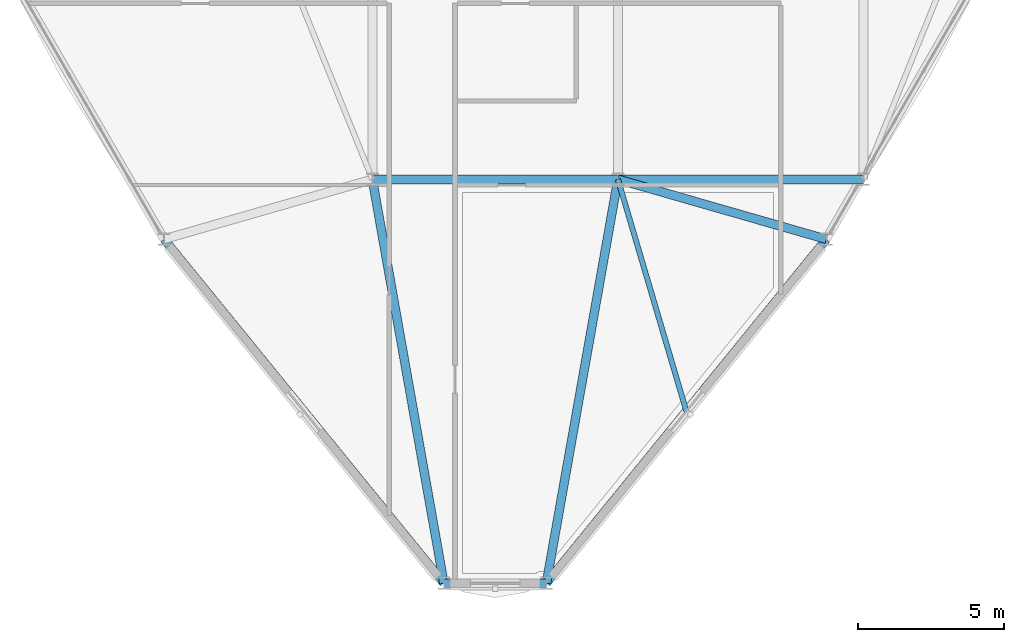
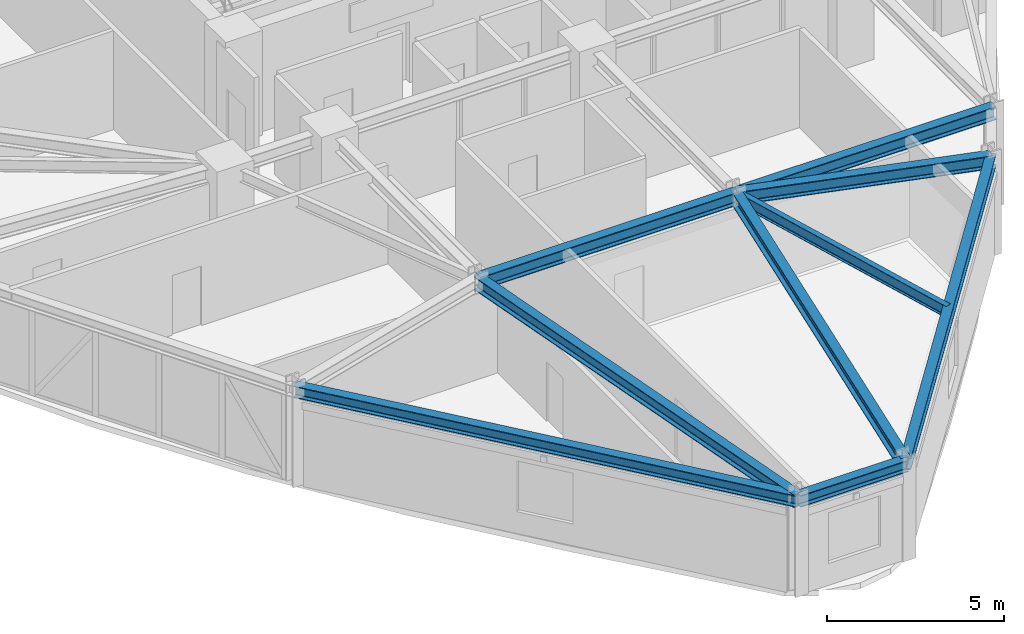
# One storey, part 3 of 15: 9 beams.
"""IFC4 building model written with IfcOpenShell, lengths in metres."""

import ifcopenshell
import ifcopenshell.guid

model = None  # the IFC model being written
_history = None  # IfcOwnerHistory: only IFC2X3 demands one
_inside = {}  # id of a spatial element -> (the spatial element, [elements in it])
_under = {}  # id of a project, library or spatial element -> (it, [spatial elements below it])
_declared = {}  # id of a project -> (the project, [libraries it declares])
_typed = {}  # id of a type object -> (the type object, [elements of that type])
_made_of = {}  # id of a material, layer set ... -> (it, [elements and type objects made of it])


def new_model(schema):
    """Start an empty IFC model of exactly this schema.

    Asked for "IFC4X3", IfcOpenShell would pick the latest addendum, in which some entities
    have other attributes; the version numbers below select the first issue.
    IFC2X3 requires an IfcOwnerHistory on every rooted entity: one is made here for all.
    """
    global model, _history
    if schema == "IFC4X3":
        model = ifcopenshell.file(schema_version=(4, 3, 0, 0))
    else:
        model = ifcopenshell.file(schema=schema)
    _inside.clear()
    _under.clear()
    _declared.clear()
    _typed.clear()
    _made_of.clear()
    _history = None
    if model.schema == "IFC2X3":
        org = make("IfcOrganization", Name="unknown")
        user = make(
            "IfcPersonAndOrganization",
            ThePerson=make("IfcPerson", FamilyName="unknown"),
            TheOrganization=org,
        )
        app = make(
            "IfcApplication",
            ApplicationDeveloper=org,
            Version="unknown",
            ApplicationFullName="unknown",
            ApplicationIdentifier="unknown",
        )
        _history = make(
            "IfcOwnerHistory",
            OwningUser=user,
            OwningApplication=app,
            ChangeAction="ADDED",
            CreationDate=0,
        )
    return model


def make(cls, **values):
    """One entity of the class cls with the attributes given. An attribute that is None is left unset."""
    return model.create_entity(
        cls, **{name: value for name, value in values.items() if value is not None}
    )


def rooted(cls, **values):
    """An entity with a GlobalId (a new one), such as an element, a storey or a relation."""
    return make(cls, GlobalId=ifcopenshell.guid.new(), OwnerHistory=_history, **values)


def si_unit(unit_type, name, prefix=None):
    """IfcSIUnit, for example si_unit("LENGTHUNIT", "METRE", prefix="MILLI")."""
    return make("IfcSIUnit", UnitType=unit_type, Prefix=prefix, Name=name)


def derived_unit(unit_type, elements):
    """IfcDerivedUnit: a product of units, each with its exponent."""
    return make(
        "IfcDerivedUnit",
        Elements=[
            make("IfcDerivedUnitElement", Unit=unit, Exponent=power)
            for unit, power in elements
        ],
        UnitType=unit_type,
    )


def assignment(units):
    """IfcUnitAssignment: the units of a project."""
    return None if units is None else make("IfcUnitAssignment", Units=units)


def point(xyz):
    """IfcCartesianPoint."""
    return None if xyz is None else make("IfcCartesianPoint", Coordinates=xyz)


def direction(xyz):
    """IfcDirection."""
    return None if xyz is None else make("IfcDirection", DirectionRatios=xyz)


def frame(location, z_axis=None, x_axis=None):
    """IfcAxis2Placement3D, a coordinate frame: its origin and axes. An axis left out is left unset."""
    return make(
        "IfcAxis2Placement3D",
        Location=point(location),
        Axis=direction(z_axis),
        RefDirection=direction(x_axis),
    )


def frame_2d(location, x_axis=None):
    """IfcAxis2Placement2D, a coordinate frame in the plane: its origin and x axis."""
    return make(
        "IfcAxis2Placement2D", Location=point(location), RefDirection=direction(x_axis)
    )


def origin():
    """The frame at (0, 0, 0) with its axes left unset."""
    return frame((0.0, 0.0, 0.0))


def origin_2d():
    """The frame at (0, 0) in the plane with its x axis left unset."""
    return frame_2d((0.0, 0.0))


def place(relative_to, where):
    """IfcLocalPlacement: puts the frame where relative to a parent placement (None: the world)."""
    return make(
        "IfcLocalPlacement", PlacementRelTo=relative_to, RelativePlacement=where
    )


def context(
    kind, dimensions, precision=None, world=None, true_north=None, identifier=None
):
    """IfcGeometricRepresentationContext, for example the 3D "Model" context."""
    return make(
        "IfcGeometricRepresentationContext",
        ContextIdentifier=identifier,
        ContextType=kind,
        CoordinateSpaceDimension=dimensions,
        Precision=precision,
        WorldCoordinateSystem=world,
        TrueNorth=true_north,
    )


def subcontext(parent, identifier, kind, view, scale=None):
    """IfcGeometricRepresentationSubContext, for example "Body" below "Model"."""
    return make(
        "IfcGeometricRepresentationSubContext",
        ContextIdentifier=identifier,
        ContextType=kind,
        ParentContext=parent,
        TargetScale=scale,
        TargetView=view,
    )


def project(units=None, contexts=None):
    """IfcProject with its units and contexts."""
    return rooted(
        "IfcProject",
        Name="project",
        RepresentationContexts=contexts,
        UnitsInContext=assignment(units),
    )


def spatial(cls, under=None, at=None, **own):
    """A site, building, storey or space (cls), placed at a placement, below another one or the project."""
    s = rooted(cls, ObjectPlacement=at, **own)
    if under is not None:
        _under.setdefault(under.id(), (under, []))[1].append(s)
    return s


def profile(cls, at=None, kind="AREA", **sizes):
    """A parametric profile (cls). Its sizes go by their IFC names, for example OverallWidth=200.0."""
    return make(cls, ProfileType=kind, Position=at, **sizes)


def i_section(**sizes):
    """IfcIShapeProfileDef."""
    return profile("IfcIShapeProfileDef", **sizes)


def extrude(swept, where, along, depth):
    """IfcExtrudedAreaSolid: the profile swept, set in the frame where, extruded along a direction by depth."""
    return make(
        "IfcExtrudedAreaSolid",
        SweptArea=swept,
        Position=where,
        ExtrudedDirection=direction(along),
        Depth=depth,
    )


def shape(context_of_items, identifier, shape_type, items):
    """IfcShapeRepresentation: the items that make up one representation, for example the "Body"."""
    return make(
        "IfcShapeRepresentation",
        ContextOfItems=context_of_items,
        RepresentationIdentifier=identifier,
        RepresentationType=shape_type,
        Items=items,
    )


def source(mapping_origin, context_of_items, identifier, shape_type, items):
    """IfcRepresentationMap: a shape defined once, which mapped items show again and again."""
    return make(
        "IfcRepresentationMap",
        MappingOrigin=mapping_origin,
        MappedRepresentation=shape(context_of_items, identifier, shape_type, items),
    )


def transform(
    local_origin,
    x_axis=None,
    y_axis=None,
    z_axis=None,
    scale=None,
    scale2=None,
    scale3=None,
    uniform=True,
):
    """IfcCartesianTransformationOperator3D, or its non-uniform kind. x_axis, y_axis, z_axis: its Axis1, 2, 3."""
    if uniform:
        return make(
            "IfcCartesianTransformationOperator3D",
            Axis1=direction(x_axis),
            Axis2=direction(y_axis),
            LocalOrigin=point(local_origin),
            Scale=scale,
            Axis3=direction(z_axis),
        )
    return make(
        "IfcCartesianTransformationOperator3DnonUniform",
        Axis1=direction(x_axis),
        Axis2=direction(y_axis),
        LocalOrigin=point(local_origin),
        Scale=scale,
        Axis3=direction(z_axis),
        Scale2=scale2,
        Scale3=scale3,
    )


def mapped(mapping_source, mapping_target):
    """IfcMappedItem: shows the shape of a source again, moved by a transform."""
    return make(
        "IfcMappedItem", MappingSource=mapping_source, MappingTarget=mapping_target
    )


def material(Name=None, Category=None):
    """IfcMaterial."""
    return make("IfcMaterial", Name=Name, Category=Category)


def material_profile(
    of_material, cross_section, Name=None, Category=None, Priority=None
):
    """IfcMaterialProfile: a cross section and its material."""
    return make(
        "IfcMaterialProfile",
        Name=Name,
        Material=of_material,
        Profile=cross_section,
        Priority=Priority,
        Category=Category,
    )


def profile_set(profiles, Name=None, composite=None):
    """IfcMaterialProfileSet."""
    return make(
        "IfcMaterialProfileSet",
        Name=Name,
        MaterialProfiles=profiles,
        CompositeProfile=composite,
    )


def made_of(thing, what):
    """Note that an element or type object is made of a material, layer set ...; save() writes the relation."""
    if what is not None:
        _made_of.setdefault(what.id(), (what, []))[1].append(thing)
    return thing


def type_object(cls, material=None, **own):
    """A type object (cls), such as IfcWallType, which elements share."""
    return made_of(rooted(cls, **own), material)


def element(
    cls,
    number,
    at=None,
    inside=None,
    cuts=None,
    type_object=None,
    material=None,
    context=None,
    identifier="Body",
    shape_type=None,
    held_by="IfcProductDefinitionShape",
    body=None,
    shapes=None,
    **own,
):
    """One element of the class cls, such as IfcWall. Its Tag is "e" and its number.

    at: its placement. inside: the storey or other place that contains it. cuts: it is an
    opening in that element (IfcRelVoidsElement). A single representation is given by context,
    identifier, shape_type and body (its items); several are given by shapes. held_by: the class
    of the entity that holds the representations. save() writes the other relations.
    """
    e = rooted(cls, Tag="e%d" % number, ObjectPlacement=at, **own)
    if body is not None:
        shapes = [shape(context, identifier, shape_type, body)]
    if shapes is not None:
        e.Representation = make(held_by, Representations=shapes)
    if inside is not None:
        _inside.setdefault(inside.id(), (inside, []))[1].append(e)
    if cuts is not None:
        rooted(
            "IfcRelVoidsElement", RelatingBuildingElement=cuts, RelatedOpeningElement=e
        )
    if type_object is not None:
        _typed.setdefault(type_object.id(), (type_object, []))[1].append(e)
    return made_of(e, material)


def aggregate(whole, parts):
    """IfcRelAggregates: a whole, such as a stair, and the parts it consists of."""
    return rooted("IfcRelAggregates", RelatingObject=whole, RelatedObjects=parts)


def save(model, path):
    """Write the relations noted so far, then the file.

    IfcRelAggregates (storeys below a building ...), IfcRelContainedInSpatialStructure (elements
    in a storey), IfcRelDefinesByType, IfcRelAssociatesMaterial and IfcRelDeclares: one each for
    every whole, place, type object, material and project.
    """
    for whole, parts in _under.values():
        aggregate(whole, parts)
    for where, things in _inside.values():
        rooted(
            "IfcRelContainedInSpatialStructure",
            RelatedElements=things,
            RelatingStructure=where,
        )
    for kind, things in _typed.values():
        rooted("IfcRelDefinesByType", RelatedObjects=things, RelatingType=kind)
    for what, things in _made_of.values():
        rooted("IfcRelAssociatesMaterial", RelatedObjects=things, RelatingMaterial=what)
    for by, libraries in _declared.values():
        rooted("IfcRelDeclares", RelatingContext=by, RelatedDefinitions=libraries)
    model.write(path)


model = new_model("IFC4")

# Units and contexts
model_context = context("Model", 3, precision=1e-05, world=origin(), true_north=direction((0.0, 1.0)))
body_context = subcontext(model_context, "Body", "Model", "MODEL_VIEW")
ifc_project = project(units=[si_unit("LENGTHUNIT", "METRE"), si_unit("AREAUNIT", "SQUARE_METRE"), si_unit("VOLUMEUNIT", "CUBIC_METRE"), si_unit("PLANEANGLEUNIT", "RADIAN"), si_unit("MASSUNIT", "GRAM", prefix="KILO"), derived_unit("THERMALTRANSMITTANCEUNIT", [(si_unit("POWERUNIT", "WATT"), 1), (si_unit("LENGTHUNIT", "METRE"), -2), (si_unit("THERMODYNAMICTEMPERATUREUNIT", "KELVIN"), -1)])], contexts=[model_context])

# Site, building, storey
site_placement = place(None, origin())
site = spatial("IfcSite", under=ifc_project, at=site_placement, CompositionType="ELEMENT")
building_placement = place(site_placement, origin())
building = spatial("IfcBuilding", under=site, at=building_placement, Name="Korsvarv Bourse and Concert Hall", CompositionType="ELEMENT")
storey_placement = place(building_placement, frame((0.0, 0.0, 147.0)))
storey = spatial("IfcBuildingStorey", under=building, at=storey_placement, Name="L37", CompositionType="ELEMENT", Elevation=147.0)

# Beams
ifc_material = material(Name="Steel S355", Category="steel")
ifc_material_profile_1 = material_profile(ifc_material, i_section(OverallWidth=0.300048828125, OverallDepth=0.449951171875, WebThickness=0.013916015625, FlangeThickness=0.02587890625, FilletRadius=0.02099609375, at=origin_2d()), Name="HEB 450")
ifc_profile_set_1 = profile_set([ifc_material_profile_1], Name="Steel S355")
beam_type_1 = type_object("IfcBeamType", Name="BM-HEB450", PredefinedType="SPANDREL", material=ifc_profile_set_1)
shared_shape_1 = source(origin(), body_context, "Body", "SweptSolid", [
    extrude(i_section(OverallWidth=0.300048828125, OverallDepth=0.449951171875, WebThickness=0.013916015625, FlangeThickness=0.02587890625, FilletRadius=0.02099609375, at=origin_2d()), origin(), (0.0, 0.0, 1.0), 8.39990234375),
])
for number, where, z_axis, x_axis, name in (
    (1, (27.60009765625, 24.0, 3.175048828125), (1.0, 0.0, 0.0), (0.0, 1.0, 0.0), "L37 beam B-08"),
    (2, (36.0, 24.0, 3.175048828125), (1.0, 0.0, 0.0), (0.0, 1.0, 0.0), "L37 beam B-08"),
):
    element("IfcBeam", number, at=place(storey_placement, frame(where, z_axis=z_axis, x_axis=x_axis)), inside=storey, type_object=beam_type_1, Name=name, PredefinedType="SPANDREL", context=body_context, shape_type="MappedRepresentation", body=[
        mapped(shared_shape_1, transform((0.0, 0.0, 0.0), scale=1.0)),
    ])
ifc_material_profile_2 = material_profile(ifc_material, i_section(OverallWidth=0.300048828125, OverallDepth=0.39990234375, WebThickness=0.013427734375, FlangeThickness=0.02392578125, FilletRadius=0.02099609375, at=origin_2d()), Name="HEB 400")
ifc_profile_set_2 = profile_set([ifc_material_profile_2], Name="Steel S355")
beam_type_2 = type_object("IfcBeamType", Name="BM-HEB400", PredefinedType="SPANDREL", material=ifc_profile_set_2)
shared_shape_2 = source(origin(), body_context, "Body", "SweptSolid", [
    extrude(i_section(OverallWidth=0.300048828125, OverallDepth=0.39990234375, WebThickness=0.013427734375, FlangeThickness=0.02392578125, FilletRadius=0.02099609375, at=origin_2d()), origin(), (0.0, 0.0, 1.0), 3.505859375),
])
beam_1_placement = place(storey_placement, frame((30.047119140625, 10.183837890625, 3.199951171875), z_axis=(1.0, 0.0, 0.0), x_axis=(0.0, 1.0, 0.0)))
element("IfcBeam", 3, at=beam_1_placement, inside=storey, type_object=beam_type_2, Name="L37 beam B-09", PredefinedType="SPANDREL", context=body_context, shape_type="MappedRepresentation", body=[
    mapped(shared_shape_2, transform((0.0, 0.0, 0.0), scale=1.0)),
])
shared_shape_3 = source(origin(), body_context, "Body", "SweptSolid", [
    extrude(i_section(OverallWidth=0.300048828125, OverallDepth=0.39990234375, WebThickness=0.013427734375, FlangeThickness=0.02392578125, FilletRadius=0.02099609375, at=origin_2d()), origin(), (0.0, 0.0, 1.0), 15.1728515625),
])
for number, where, z_axis, x_axis, name in (
    (4, (20.469482421875, 21.951904296875, 3.199951171875), (0.631230883331, -0.775594979309, 0.0), (0.775594979309, 0.631230883331, 0.0), "L37 beam B-09"),
    (5, (33.552978515625, 10.183837890625, 3.199951171875), (0.631221203973, 0.775602856915, 0.0), (-0.775602856915, 0.631221203973, 0.0), "L37 beam B-09"),
):
    element("IfcBeam", number, at=place(storey_placement, frame(where, z_axis=z_axis, x_axis=x_axis)), inside=storey, type_object=beam_type_2, Name=name, PredefinedType="SPANDREL", context=body_context, shape_type="MappedRepresentation", body=[
        mapped(shared_shape_3, transform((0.0, 0.0, 0.0), scale=1.0)),
    ])
shared_shape_4 = source(origin(), body_context, "Body", "SweptSolid", [
    extrude(i_section(OverallWidth=0.300048828125, OverallDepth=0.449951171875, WebThickness=0.013916015625, FlangeThickness=0.02587890625, FilletRadius=0.02099609375, at=origin_2d()), origin(), (0.0, 0.0, 1.0), 14.03125),
])
for number, where, z_axis, x_axis, name in (
    (6, (30.047119140625, 10.183837890625, 3.175048828125), (-0.174398732616, 0.984675114981, 0.0), (-0.984675114981, -0.174398732616, 0.0), "L37 beam B-08"),
    (7, (33.552978515625, 10.183837890625, 3.175048828125), (0.174398732616, 0.984675114981, 0.0), (-0.984675114981, 0.174398732616, 0.0), "L37 beam B-08"),
):
    element("IfcBeam", number, at=place(storey_placement, frame(where, z_axis=z_axis, x_axis=x_axis)), inside=storey, type_object=beam_type_1, Name=name, PredefinedType="SPANDREL", context=body_context, shape_type="MappedRepresentation", body=[
        mapped(shared_shape_4, transform((0.0, 0.0, 0.0), scale=1.0)),
    ])
shared_shape_5 = source(origin(), body_context, "Body", "SweptSolid", [
    extrude(i_section(OverallWidth=0.300048828125, OverallDepth=0.449951171875, WebThickness=0.013916015625, FlangeThickness=0.02587890625, FilletRadius=0.02099609375, at=origin_2d()), origin(), (0.0, 0.0, 1.0), 7.418701171875),
])
beam_2_placement = place(storey_placement, frame((43.13037109375, 21.951904296875, 3.175048828125), z_axis=(-0.961136783808, 0.276072604238, 0.0), x_axis=(-0.276072604238, -0.961136783808, 0.0)))
element("IfcBeam", 8, at=beam_2_placement, inside=storey, type_object=beam_type_1, Name="L37 beam B-08", PredefinedType="SPANDREL", context=body_context, shape_type="MappedRepresentation", body=[
    mapped(shared_shape_5, transform((0.0, 0.0, 0.0), scale=1.0)),
])
ifc_material_profile_3 = material_profile(ifc_material, i_section(OverallWidth=0.179931640625, OverallDepth=0.39990234375, WebThickness=0.008544921875, FlangeThickness=0.013427734375, FilletRadius=0.02099609375, at=origin_2d()), Name="IPE 400")
ifc_profile_set_3 = profile_set([ifc_material_profile_3], Name="Steel S355")
beam_type_3 = type_object("IfcBeamType", Name="BM-IPE400", PredefinedType="JOIST", material=ifc_profile_set_3)
shared_shape_6 = source(origin(), body_context, "Body", "SweptSolid", [
    extrude(i_section(OverallWidth=0.179931640625, OverallDepth=0.39990234375, WebThickness=0.008544921875, FlangeThickness=0.013427734375, FilletRadius=0.02099609375, at=origin_2d()), origin(), (0.0, 0.0, 1.0), 8.2705078125),
])
beam_3_placement = place(storey_placement, frame((38.341796875, 16.06787109375, 3.199951171875), z_axis=(-0.28314745229, 0.959076389169, 0.0), x_axis=(-0.959076389169, -0.28314745229, 0.0)))
element("IfcBeam", 9, at=beam_3_placement, inside=storey, type_object=beam_type_3, Name="L37 beam J-05", PredefinedType="JOIST", context=body_context, shape_type="MappedRepresentation", body=[
    mapped(shared_shape_6, transform((0.0, 0.0, 0.0), scale=1.0)),
])

save(model, "model.ifc")
